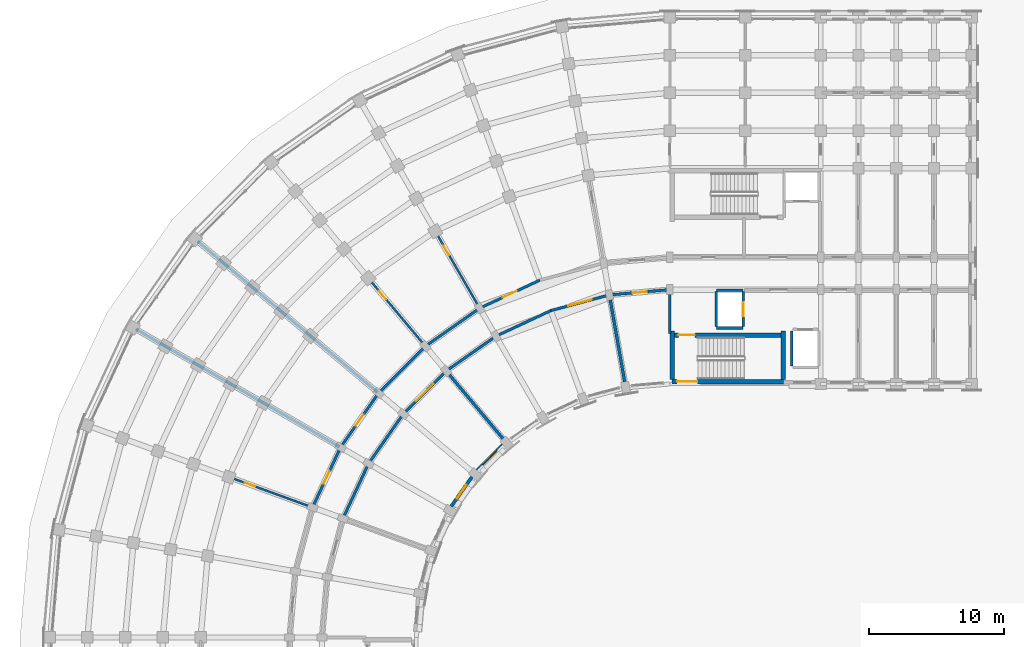
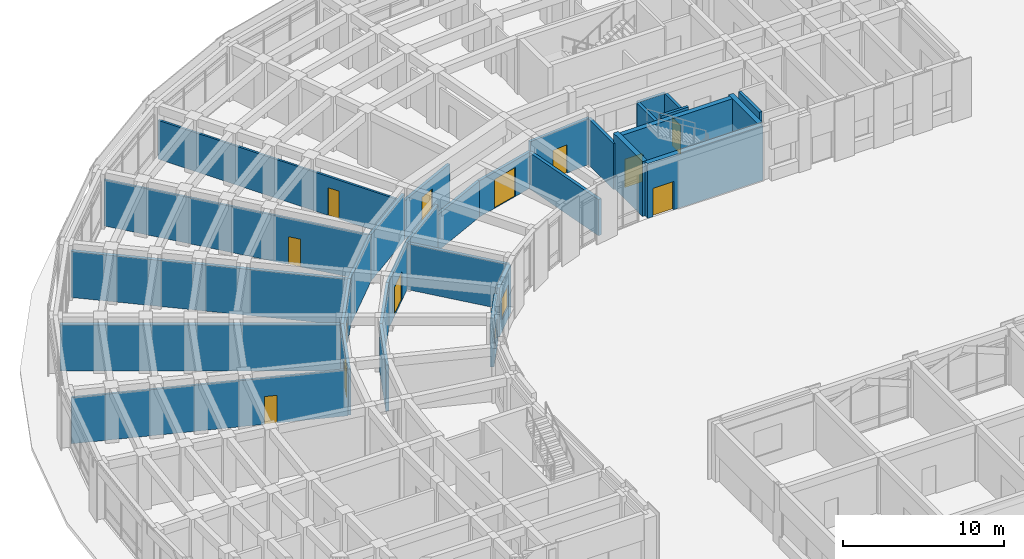
# One storey, part 100 of 135: 31 walls, 12 doors, 2 windows, 14 openings.
"""IFC4 building model written with IfcOpenShell, lengths in metres."""

from ifc_helpers import new_model, si_unit, direction, frame, frame_2d, origin, place, context, subcontext, project, spatial, rectangle, extrude, material, layer, layer_set, type_object, element, fill, save


model = new_model("IFC4")

# Units and contexts
model_context = context("Model", 3, precision=1e-05, world=origin(), true_north=direction((0.0, 1.0)))
body_context = subcontext(model_context, "Body", "Model", "MODEL_VIEW")
ifc_project = project(units=[si_unit("LENGTHUNIT", "METRE"), si_unit("AREAUNIT", "SQUARE_METRE"), si_unit("VOLUMEUNIT", "CUBIC_METRE"), si_unit("PLANEANGLEUNIT", "RADIAN"), si_unit("MASSUNIT", "GRAM", prefix="KILO")], contexts=[model_context])

# Site, building, storey
site_placement = place(None, origin())
site = spatial("IfcSite", under=ifc_project, at=site_placement, CompositionType="ELEMENT")
building_placement = place(site_placement, origin())
building = spatial("IfcBuilding", under=site, at=building_placement, Name="Kiranvali Square Residences", CompositionType="ELEMENT")
storey_placement = place(building_placement, origin())
storey = spatial("IfcBuildingStorey", under=building, at=storey_placement, Name="L00", CompositionType="ELEMENT", Elevation=0.0)

# Wall, opening, door
ifc_material_1 = material(Name="Autoclaved aerated concrete blockwork masonry", Category="masonry")
ifc_layer_1 = layer(ifc_material_1, 0.199951171875)
ifc_layer_set_1 = layer_set([ifc_layer_1], Name="Autoclaved aerated concrete blockwork masonry")
wall_type_1 = type_object("IfcWallType", Name="WL-COR-200", PredefinedType="STANDARD", material=ifc_layer_set_1)
wall_1_placement = place(storey_placement, frame((48.199951171875, 113.60009765625, 0.0), z_axis=(0.0, 0.0, 1.0), x_axis=(-0.996191949488, -0.087187153726, 0.0)))
wall_1 = element("IfcWall", 1, at=wall_1_placement, inside=storey, type_object=wall_type_1, Name="L00 architectural wall WL-L00-A-CCI-0", PredefinedType="STANDARD", context=body_context, shape_type="SweptSolid", body=[
    extrude(rectangle(XDim=4.4970703125, YDim=0.199951171875, at=frame_2d((2.24853515625, 0.0))), origin(), (0.0, 0.0, 1.0), 3.491943359375),
])
opening_1_placement = place(wall_1_placement, frame((1.728515625, 0.0, 0.0)))
opening_1 = element("IfcOpeningElement", 2, at=opening_1_placement, cuts=wall_1, Name="Opening FD-APT-60B", PredefinedType="OPENING", context=body_context, shape_type="SweptSolid", body=[
    extrude(rectangle(XDim=1.0400390625, YDim=2.14990234375, at=frame_2d((0.52001953125, 1.074951171875))), frame((0.0, 0.10986328125, 0.0), z_axis=(0.0, -1.0, 0.0), x_axis=(1.0, 0.0, 0.0)), (0.0, 0.0, 1.0), 0.219970703125),
])
ifc_material_2 = material(Name="Fire-rated acoustic hardwood and mineral-core door assembly", Category="wood")
door_type_1 = type_object("IfcDoorType", Name="DR-APT-1040", OperationType="NOTDEFINED", PredefinedType="DOOR", material=ifc_material_2)
door_1_placement = place(opening_1_placement, frame((1.0400390625, 0.0, 0.0), z_axis=(0.0, 0.0, 1.0), x_axis=(-1.0, 0.0, 0.0)))
door_1 = element("IfcDoor", 3, at=door_1_placement, inside=storey, type_object=door_type_1, Name="L00 door DR-L00-0082 (DR-APT-1040)", OperationType="SINGLE_SWING_RIGHT", OverallHeight=2.14990234375, OverallWidth=1.0400390625, PredefinedType="DOOR", context=body_context, shape_type="SweptSolid", body=[
    extrude(rectangle(XDim=1.0400390625, YDim=2.14990234375, at=frame_2d((0.52001953125, 1.074951171875))), frame((0.0, 0.02490234375, 0.0), z_axis=(0.0, -1.0, 0.0), x_axis=(1.0, 0.0, 0.0)), (0.0, 0.0, 1.0), 0.050048828125),
])
fill(opening_1, door_1)

wall_2_placement = place(storey_placement, frame((43.719970703125, 113.2080078125, 0.0), z_axis=(0.0, 0.0, 1.0), x_axis=(-0.965934240054, -0.258787642463, 0.0)))
wall_2 = element("IfcWall", 4, at=wall_2_placement, inside=storey, type_object=wall_type_1, Name="L00 architectural wall WL-L00-A-CCI-1", PredefinedType="STANDARD", context=body_context, shape_type="SweptSolid", body=[
    extrude(rectangle(XDim=4.497314453125, YDim=0.199951171875, at=frame_2d((2.24853515625, 0.0))), origin(), (0.0, 0.0, 1.0), 2.741943359375),
])
opening_2_placement = place(wall_2_placement, frame((1.3486328125, 0.0, 0.0)))
opening_2 = element("IfcOpeningElement", 5, at=opening_2_placement, cuts=wall_2, Name="Opening ED-GLZ-180", PredefinedType="OPENING", context=body_context, shape_type="SweptSolid", body=[
    extrude(rectangle(XDim=1.800048828125, YDim=2.199951171875, at=frame_2d((0.89990234375, 1.10009765625))), frame((0.0, 0.10986328125, 0.0), z_axis=(0.0, -1.0, 0.0), x_axis=(1.0, 0.0, 0.0)), (0.0, 0.0, 1.0), 0.219970703125),
])
ifc_material_3 = material(Name="Anodised bronze aluminium framing", Category="aluminium")
door_type_2 = type_object("IfcDoorType", Name="DR-GLZ-1800", OperationType="DOUBLE_DOOR_SINGLE_SWING", PredefinedType="DOOR", material=ifc_material_3)
door_2_placement = place(opening_2_placement, origin())
door_2 = element("IfcDoor", 6, at=door_2_placement, inside=storey, type_object=door_type_2, Name="L00 door DR-L00-0083 (DR-GLZ-1800)", OperationType="DOUBLE_DOOR_SINGLE_SWING", OverallHeight=2.199951171875, OverallWidth=1.800048828125, PredefinedType="DOOR", context=body_context, shape_type="SweptSolid", body=[
    extrude(rectangle(XDim=1.800048828125, YDim=2.199951171875, at=frame_2d((0.89990234375, 1.10009765625))), frame((0.0, 0.02490234375, 0.0), z_axis=(0.0, -1.0, 0.0), x_axis=(1.0, 0.0, 0.0)), (0.0, 0.0, 1.0), 0.050048828125),
])
fill(opening_2, door_2)

# Wall
wall_3_placement = place(storey_placement, frame((39.3759765625, 112.044189453125, 0.0), z_axis=(0.0, 0.0, 1.0), x_axis=(-0.906307919131, -0.422617978463, 0.0)))
element("IfcWall", 7, at=wall_3_placement, inside=storey, type_object=wall_type_1, Name="L00 architectural wall WL-L00-A-CCI-2", PredefinedType="STANDARD", context=body_context, shape_type="SweptSolid", body=[
    extrude(rectangle(XDim=4.497314453125, YDim=0.199951171875, at=frame_2d((2.24853515625, 0.0))), origin(), (0.0, 0.0, 1.0), 2.741943359375),
])

# Wall, opening, door
wall_4_placement = place(storey_placement, frame((38.554931640625, 114.29931640625, 0.0), z_axis=(0.0, 0.0, 1.0), x_axis=(-0.906302381024, -0.422629854778, 0.0)))
wall_4 = element("IfcWall", 8, at=wall_4_placement, inside=storey, type_object=wall_type_1, Name="L00 architectural wall WL-L00-A-CCO-2", PredefinedType="STANDARD", context=body_context, shape_type="SweptSolid", body=[
    extrude(rectangle(XDim=4.915283203125, YDim=0.199951171875, at=frame_2d((2.45751953125, 0.0))), origin(), (0.0, 0.0, 1.0), 2.94189453125),
])
opening_3_placement = place(wall_4_placement, frame((1.8876953125, 0.0, 0.0)))
opening_3 = element("IfcOpeningElement", 9, at=opening_3_placement, cuts=wall_4, Name="Opening FD-APT-60D", PredefinedType="OPENING", context=body_context, shape_type="SweptSolid", body=[
    extrude(rectangle(XDim=1.139892578125, YDim=2.14990234375, at=frame_2d((0.56982421875, 1.074951171875))), frame((0.0, 0.10986328125, 0.0), z_axis=(0.0, -1.0, 0.0), x_axis=(1.0, 0.0, 0.0)), (0.0, 0.0, 1.0), 0.219970703125),
])
door_type_3 = type_object("IfcDoorType", Name="DR-APT-1140", OperationType="NOTDEFINED", PredefinedType="DOOR", material=ifc_material_2)
door_3_placement = place(opening_3_placement, frame((1.139892578125, 0.0, 0.0), z_axis=(0.0, 0.0, 1.0), x_axis=(-1.0, 0.0, 0.0)))
door_3 = element("IfcDoor", 10, at=door_3_placement, inside=storey, type_object=door_type_3, Name="L00 door DR-L00-0078 (DR-APT-1140)", OperationType="SINGLE_SWING_RIGHT", OverallHeight=2.14990234375, OverallWidth=1.139892578125, PredefinedType="DOOR", context=body_context, shape_type="SweptSolid", body=[
    extrude(rectangle(XDim=1.139892578125, YDim=2.14990234375, at=frame_2d((0.56982421875, 1.074951171875))), frame((0.0, 0.02490234375, 0.0), z_axis=(0.0, -1.0, 0.0), x_axis=(1.0, 0.0, 0.0)), (0.0, 0.0, 1.0), 0.050048828125),
])
fill(opening_3, door_3)

# Walls
wall_5_placement = place(storey_placement, frame((35.300048828125, 110.1435546875, 0.0), z_axis=(0.0, 0.0, 1.0), x_axis=(-0.819155404658, -0.573571637217, 0.0)))
element("IfcWall", 11, at=wall_5_placement, inside=storey, type_object=wall_type_1, Name="L00 architectural wall WL-L00-A-CCI-3", PredefinedType="STANDARD", context=body_context, shape_type="SweptSolid", body=[
    extrude(rectangle(XDim=4.497314453125, YDim=0.199951171875, at=frame_2d((2.24853515625, 0.0))), origin(), (0.0, 0.0, 1.0), 3.491943359375),
])
wall_6_placement = place(storey_placement, frame((34.10009765625, 112.221923828125, 0.0), z_axis=(0.0, 0.0, 1.0), x_axis=(-0.819140911474, -0.573592335331, 0.0)))
element("IfcWall", 12, at=wall_6_placement, inside=storey, type_object=wall_type_1, Name="L00 architectural wall WL-L00-A-CCO-3", PredefinedType="STANDARD", context=body_context, shape_type="SweptSolid", body=[
    extrude(rectangle(XDim=4.915771484375, YDim=0.199951171875, at=frame_2d((2.4580078125, 0.0))), origin(), (0.0, 0.0, 1.0), 3.491943359375),
])

# Wall, opening, door
wall_7_placement = place(storey_placement, frame((31.615966796875, 107.56396484375, 0.0), z_axis=(0.0, 0.0, 1.0), x_axis=(-0.707106781187, -0.707106781187, 0.0)))
wall_7 = element("IfcWall", 13, at=wall_7_placement, inside=storey, type_object=wall_type_1, Name="L00 architectural wall WL-L00-A-CCI-4", PredefinedType="STANDARD", context=body_context, shape_type="SweptSolid", body=[
    extrude(rectangle(XDim=4.4970703125, YDim=0.199951171875, at=frame_2d((2.24853515625, 0.0))), origin(), (0.0, 0.0, 1.0), 3.491943359375),
])
opening_4_placement = place(wall_7_placement, frame((1.3486328125, 0.0, 0.0)))
opening_4 = element("IfcOpeningElement", 14, at=opening_4_placement, cuts=wall_7, Name="Opening ED-GLZ-180", PredefinedType="OPENING", context=body_context, shape_type="SweptSolid", body=[
    extrude(rectangle(XDim=1.800048828125, YDim=2.199951171875, at=frame_2d((0.89990234375, 1.10009765625))), frame((0.0, 0.10986328125, 0.0), z_axis=(0.0, -1.0, 0.0), x_axis=(1.0, 0.0, 0.0)), (0.0, 0.0, 1.0), 0.219970703125),
])
door_4_placement = place(opening_4_placement, origin())
door_4 = element("IfcDoor", 15, at=door_4_placement, inside=storey, type_object=door_type_2, Name="L00 door DR-L00-0084 (DR-GLZ-1800)", OperationType="DOUBLE_DOOR_SINGLE_SWING", OverallHeight=2.199951171875, OverallWidth=1.800048828125, PredefinedType="DOOR", context=body_context, shape_type="SweptSolid", body=[
    extrude(rectangle(XDim=1.800048828125, YDim=2.199951171875, at=frame_2d((0.89990234375, 1.10009765625))), frame((0.0, 0.02490234375, 0.0), z_axis=(0.0, -1.0, 0.0), x_axis=(1.0, 0.0, 0.0)), (0.0, 0.0, 1.0), 0.050048828125),
])
fill(opening_4, door_4)

# Walls
wall_8_placement = place(storey_placement, frame((30.073486328125, 109.40234375, 0.0), z_axis=(0.0, 0.0, 1.0), x_axis=(-0.707106781187, -0.707106781187, 0.0)))
element("IfcWall", 16, at=wall_8_placement, inside=storey, type_object=wall_type_1, Name="L00 architectural wall WL-L00-A-CCO-4", PredefinedType="STANDARD", context=body_context, shape_type="SweptSolid", body=[
    extrude(rectangle(XDim=4.91552734375, YDim=0.199951171875, at=frame_2d((2.457763671875, 0.0))), origin(), (0.0, 0.0, 1.0), 3.491943359375),
])
wall_9_placement = place(storey_placement, frame((28.43603515625, 104.384033203125, 0.0), z_axis=(0.0, 0.0, 1.0), x_axis=(-0.573571637217, -0.819155404658, 0.0)))
element("IfcWall", 17, at=wall_9_placement, inside=storey, type_object=wall_type_1, Name="L00 architectural wall WL-L00-A-CCI-5", PredefinedType="STANDARD", context=body_context, shape_type="SweptSolid", body=[
    extrude(rectangle(XDim=4.497314453125, YDim=0.199951171875, at=frame_2d((2.24853515625, 0.0))), origin(), (0.0, 0.0, 1.0), 3.491943359375),
])

# Wall, opening, door
wall_10_placement = place(storey_placement, frame((26.59765625, 105.926513671875, 0.0), z_axis=(0.0, 0.0, 1.0), x_axis=(-0.573592335331, -0.819140911474, 0.0)))
wall_10 = element("IfcWall", 18, at=wall_10_placement, inside=storey, type_object=wall_type_1, Name="L00 architectural wall WL-L00-A-CCO-5", PredefinedType="STANDARD", context=body_context, shape_type="SweptSolid", body=[
    extrude(rectangle(XDim=4.915771484375, YDim=0.199951171875, at=frame_2d((2.4580078125, 0.0))), origin(), (0.0, 0.0, 1.0), 3.491943359375),
])
opening_5_placement = place(wall_10_placement, frame((1.957763671875, 0.0, 0.0)))
opening_5 = element("IfcOpeningElement", 19, at=opening_5_placement, cuts=wall_10, Name="Opening FD-APT-60", PredefinedType="OPENING", context=body_context, shape_type="SweptSolid", body=[
    extrude(rectangle(XDim=1.0, YDim=2.14990234375, at=frame_2d((0.5, 1.074951171875))), frame((0.0, 0.10986328125, 0.0), z_axis=(0.0, -1.0, 0.0), x_axis=(1.0, 0.0, 0.0)), (0.0, 0.0, 1.0), 0.219970703125),
])
door_type_4 = type_object("IfcDoorType", Name="DR-APT-1000", OperationType="NOTDEFINED", PredefinedType="DOOR", material=ifc_material_2)
door_5_placement = place(opening_5_placement, origin())
door_5 = element("IfcDoor", 20, at=door_5_placement, inside=storey, type_object=door_type_4, Name="L00 door DR-L00-0079 (DR-APT-1000)", OperationType="SINGLE_SWING_LEFT", OverallHeight=2.14990234375, OverallWidth=1.0, PredefinedType="DOOR", context=body_context, shape_type="SweptSolid", body=[
    extrude(rectangle(XDim=1.0, YDim=2.14990234375, at=frame_2d((0.5, 1.074951171875))), frame((0.0, 0.02490234375, 0.0), z_axis=(0.0, -1.0, 0.0), x_axis=(1.0, 0.0, 0.0)), (0.0, 0.0, 1.0), 0.050048828125),
])
fill(opening_5, door_5)

# Wall
wall_11_placement = place(storey_placement, frame((25.8564453125, 100.699951171875, 0.0), z_axis=(0.0, 0.0, 1.0), x_axis=(-0.422617978463, -0.906307919131, 0.0)))
element("IfcWall", 21, at=wall_11_placement, inside=storey, type_object=wall_type_1, Name="L00 architectural wall WL-L00-A-CCI-6", PredefinedType="STANDARD", context=body_context, shape_type="SweptSolid", body=[
    extrude(rectangle(XDim=4.497314453125, YDim=0.199951171875, at=frame_2d((2.24853515625, 0.0))), origin(), (0.0, 0.0, 1.0), 3.491943359375),
])

# Wall, opening, door
wall_12_placement = place(storey_placement, frame((23.778076171875, 101.89990234375, 0.0), z_axis=(0.0, 0.0, 1.0), x_axis=(-0.422629854778, -0.906302381024, 0.0)))
wall_12 = element("IfcWall", 22, at=wall_12_placement, inside=storey, type_object=wall_type_1, Name="L00 architectural wall WL-L00-A-CCO-6", PredefinedType="STANDARD", context=body_context, shape_type="SweptSolid", body=[
    extrude(rectangle(XDim=4.915283203125, YDim=0.199951171875, at=frame_2d((2.45751953125, 0.0))), origin(), (0.0, 0.0, 1.0), 3.491943359375),
])
opening_6_placement = place(wall_12_placement, frame((1.937744140625, 0.0, 0.0)))
opening_6 = element("IfcOpeningElement", 23, at=opening_6_placement, cuts=wall_12, Name="Opening FD-APT-60B", PredefinedType="OPENING", context=body_context, shape_type="SweptSolid", body=[
    extrude(rectangle(XDim=1.0400390625, YDim=2.14990234375, at=frame_2d((0.52001953125, 1.074951171875))), frame((0.0, 0.10986328125, 0.0), z_axis=(0.0, -1.0, 0.0), x_axis=(1.0, 0.0, 0.0)), (0.0, 0.0, 1.0), 0.219970703125),
])
door_6_placement = place(opening_6_placement, frame((1.0400390625, 0.0, 0.0), z_axis=(0.0, 0.0, 1.0), x_axis=(-1.0, 0.0, 0.0)))
door_6 = element("IfcDoor", 24, at=door_6_placement, inside=storey, type_object=door_type_1, Name="L00 door DR-L00-0080 (DR-APT-1040)", OperationType="SINGLE_SWING_RIGHT", OverallHeight=2.14990234375, OverallWidth=1.0400390625, PredefinedType="DOOR", context=body_context, shape_type="SweptSolid", body=[
    extrude(rectangle(XDim=1.0400390625, YDim=2.14990234375, at=frame_2d((0.52001953125, 1.074951171875))), frame((0.0, 0.02490234375, 0.0), z_axis=(0.0, -1.0, 0.0), x_axis=(1.0, 0.0, 0.0)), (0.0, 0.0, 1.0), 0.050048828125),
])
fill(opening_6, door_6)

# Walls
ifc_layer_2 = layer(ifc_material_1, 0.219970703125)
ifc_layer_set_2 = layer_set([ifc_layer_2], Name="Autoclaved aerated concrete blockwork masonry")
wall_type_2 = type_object("IfcWallType", Name="WL-DEM-220", PredefinedType="STANDARD", material=ifc_layer_set_2)
wall_13_placement = place(storey_placement, frame((48.199951171875, 110.35009765625, 0.0), z_axis=(0.0, 0.0, 1.0), x_axis=(0.0, 1.0, 0.0)))
element("IfcWall", 25, at=wall_13_placement, inside=storey, type_object=wall_type_2, Name="L00 architectural wall WL-L00-A-RADI-0", PredefinedType="STANDARD", context=body_context, shape_type="SweptSolid", body=[
    extrude(rectangle(XDim=3.199951171875, YDim=0.219970703125, at=frame_2d((1.60009765625, 0.0))), origin(), (0.0, 0.0, 1.0), 3.491943359375),
])
wall_14_placement = place(storey_placement, frame((44.900634765625, 106.51123046875, 0.0), z_axis=(0.0, 0.0, 1.0), x_axis=(-0.173647089161, 0.984807944945, 0.0)))
element("IfcWall", 26, at=wall_14_placement, inside=storey, type_object=wall_type_2, Name="L00 architectural wall WL-L00-A-RADI-1", PredefinedType="STANDARD", context=body_context, shape_type="SweptSolid", body=[
    extrude(rectangle(XDim=6.75, YDim=0.219970703125, at=frame_2d((3.375, 0.0))), origin(), (0.0, 0.0, 1.0), 2.741943359375),
])
wall_15_placement = place(storey_placement, frame((35.987060546875, 102.354736328125, 0.0), z_axis=(0.0, 0.0, 1.0), x_axis=(-0.642784846501, 0.766046761698, 0.0)))
element("IfcWall", 27, at=wall_15_placement, inside=storey, type_object=wall_type_2, Name="L00 architectural wall WL-L00-A-RADI-4", PredefinedType="STANDARD", context=body_context, shape_type="SweptSolid", body=[
    extrude(rectangle(XDim=6.75, YDim=0.219970703125, at=frame_2d((3.375, 0.0))), origin(), (0.0, 0.0, 1.0), 3.491943359375),
])
ifc_layer_3 = layer(ifc_material_1, 0.22998046875)
ifc_layer_set_3 = layer_set([ifc_layer_3], Name="Autoclaved aerated concrete blockwork masonry")
wall_type_3 = type_object("IfcWallType", Name="WL-DEM-230", PredefinedType="STANDARD", material=ifc_layer_set_3)
for number, where, z_axis, x_axis, name in (
    (28, (26.52099609375, 105.990966796875, 0.0), (0.0, 0.0, 1.0), (-0.766046835987, 0.642784757967, 0.0), "L00 architectural wall WL-L00-A-RADO-5"),
    (29, (23.69140625, 101.949951171875, 0.0), (0.0, 0.0, 1.0), (-0.866026648973, 0.499997843263, 0.0), "L00 architectural wall WL-L00-A-RADO-6"),
):
    element("IfcWall", number, at=place(storey_placement, frame(where, z_axis=z_axis, x_axis=x_axis)), inside=storey, type_object=wall_type_3, Name=name, PredefinedType="STANDARD", context=body_context, shape_type="SweptSolid", body=[
        extrude(rectangle(XDim=17.419921875, YDim=0.22998046875, at=frame_2d((8.7099609375, 0.0))), origin(), (0.0, 0.0, 1.0), 3.491943359375),
    ])

# Wall, opening, window
ifc_material_4 = material(Name="Breathable lime-rendered clay brick masonry", Category="masonry")
ifc_layer_4 = layer(ifc_material_4, 0.25)
ifc_layer_set_4 = layer_set([ifc_layer_4], Name="Breathable lime-rendered clay brick masonry")
wall_type_4 = type_object("IfcWallType", Name="WL-EXT-250", PredefinedType="STANDARD", material=ifc_layer_set_4)
wall_16_placement = place(storey_placement, frame((35.8125, 102.0751953125, 0.0), z_axis=(0.0, 0.0, 1.0), x_axis=(-0.707106781187, -0.707106781187, 0.0)))
wall_16 = element("IfcWall", 30, at=wall_16_placement, inside=storey, type_object=wall_type_4, Name="L00 exterior wall A-L00-GDN-04", PredefinedType="STANDARD", context=body_context, shape_type="SweptSolid", body=[
    extrude(rectangle(XDim=2.669677734375, YDim=0.25, at=frame_2d((1.3349609375, 0.0))), origin(), (0.0, 0.0, 1.0), 3.69189453125),
])
opening_7_placement = place(wall_16_placement, frame((0.584716796875, 0.0, 0.8798828125)))
opening_7 = element("IfcOpeningElement", 31, at=opening_7_placement, cuts=wall_16, Name="Opening W-05", PredefinedType="OPENING", context=body_context, shape_type="SweptSolid", body=[
    extrude(rectangle(XDim=1.5, YDim=1.64990234375, at=frame_2d((0.75, 0.824951171875))), frame((0.0, 0.135009765625, 0.0), z_axis=(0.0, -1.0, 0.0), x_axis=(1.0, 0.0, 0.0)), (0.0, 0.0, 1.0), 0.27001953125),
])
ifc_material_5 = material(Name="Solar-control low-e double glazing", Category="glass")
window_type_1 = type_object("IfcWindowType", Name="WIN-RES-1500x1650", PartitioningType="DOUBLE_PANEL_VERTICAL", PredefinedType="WINDOW", material=ifc_material_5)
window_1_placement = place(opening_7_placement, origin())
window_1 = element("IfcWindow", 32, at=window_1_placement, inside=storey, type_object=window_type_1, Name="L00 recessed window A-L00-GDN-04", OverallHeight=1.64990234375, OverallWidth=1.5, PartitioningType="DOUBLE_PANEL_VERTICAL", PredefinedType="WINDOW", context=body_context, shape_type="SweptSolid", body=[
    extrude(rectangle(XDim=1.5, YDim=1.64990234375, at=frame_2d((0.75, 0.824951171875))), frame((0.0, 0.030029296875, 0.0), z_axis=(0.0, -1.0, 0.0), x_axis=(1.0, 0.0, 0.0)), (0.0, 0.0, 1.0), 0.06005859375),
])
fill(opening_7, window_1)

wall_17_placement = place(storey_placement, frame((33.521728515625, 99.707275390625, 0.0), z_axis=(0.0, 0.0, 1.0), x_axis=(-0.573591230309, -0.819141685249, 0.0)))
wall_17 = element("IfcWall", 33, at=wall_17_placement, inside=storey, type_object=wall_type_4, Name="L00 exterior wall A-L00-GDN-05", PredefinedType="STANDARD", context=body_context, shape_type="SweptSolid", body=[
    extrude(rectangle(XDim=2.669677734375, YDim=0.25, at=frame_2d((1.3349609375, 0.0))), origin(), (0.0, 0.0, 1.0), 3.69189453125),
])
opening_8_placement = place(wall_17_placement, frame((0.73486328125, 0.0, 0.8798828125)))
opening_8 = element("IfcOpeningElement", 34, at=opening_8_placement, cuts=wall_17, Name="Opening W-06", PredefinedType="OPENING", context=body_context, shape_type="SweptSolid", body=[
    extrude(rectangle(XDim=1.199951171875, YDim=1.5, at=frame_2d((0.60009765625, 0.75))), frame((0.0, 0.135009765625, 0.0), z_axis=(0.0, -1.0, 0.0), x_axis=(1.0, 0.0, 0.0)), (0.0, 0.0, 1.0), 0.27001953125),
])
window_type_2 = type_object("IfcWindowType", Name="WIN-RES-1200x1500", PartitioningType="SINGLE_PANEL", PredefinedType="WINDOW", material=ifc_material_5)
window_2_placement = place(opening_8_placement, origin())
window_2 = element("IfcWindow", 35, at=window_2_placement, inside=storey, type_object=window_type_2, Name="L00 recessed window A-L00-GDN-05", OverallHeight=1.5, OverallWidth=1.199951171875, PartitioningType="SINGLE_PANEL", PredefinedType="WINDOW", context=body_context, shape_type="SweptSolid", body=[
    extrude(rectangle(XDim=1.199951171875, YDim=1.5, at=frame_2d((0.60009765625, 0.75))), frame((0.0, 0.030029296875, 0.0), z_axis=(0.0, -1.0, 0.0), x_axis=(1.0, 0.0, 0.0)), (0.0, 0.0, 1.0), 0.06005859375),
])
fill(opening_8, window_2)

# Wall, opening, door
ifc_material_6 = material(Name="Acoustic gypsum board drylined partition", Category="gypsum")
ifc_layer_5 = layer(ifc_material_6, 0.14990234375)
ifc_layer_set_5 = layer_set([ifc_layer_5], Name="Acoustic gypsum board drylined partition")
wall_type_5 = type_object("IfcWallType", Name="WL-PRT-150", PredefinedType="PARTITIONING", material=ifc_layer_set_5)
wall_18_placement = place(storey_placement, frame((34.050048828125, 112.30859375, 0.0), z_axis=(0.0, 0.0, 1.0), x_axis=(-0.499997843263, 0.866026648973, 0.0)))
wall_18 = element("IfcWall", 36, at=wall_18_placement, inside=storey, type_object=wall_type_5, Name="L00 architectural wall WL-L00-A-RADO-3", PredefinedType="PARTITIONING", context=body_context, shape_type="SweptSolid", body=[
    extrude(rectangle(XDim=17.419921875, YDim=0.14990234375, at=frame_2d((8.7099609375, 0.0))), origin(), (0.0, 0.0, 1.0), 2.94189453125),
])
opening_9_placement = place(wall_18_placement, frame((4.44970703125, 0.0, 0.0)))
opening_9 = element("IfcOpeningElement", 37, at=opening_9_placement, cuts=wall_18, Name="Opening ID-WET", PredefinedType="OPENING", context=body_context, shape_type="SweptSolid", body=[
    extrude(rectangle(XDim=0.800048828125, YDim=2.10009765625, at=frame_2d((0.39990234375, 1.050048828125))), frame((0.0, 0.0849609375, 0.0), z_axis=(0.0, -1.0, 0.0), x_axis=(1.0, 0.0, 0.0)), (0.0, 0.0, 1.0), 0.169921875),
])
ifc_material_7 = material(Name="Solid seasoned teak hardwood joinery", Category="wood")
door_type_5 = type_object("IfcDoorType", Name="DR-WET-800", OperationType="NOTDEFINED", PredefinedType="DOOR", material=ifc_material_7)
door_7_placement = place(opening_9_placement, frame((0.800048828125, 0.0, 0.0), z_axis=(0.0, 0.0, 1.0), x_axis=(-1.0, 0.0, 0.0)))
door_7 = element("IfcDoor", 38, at=door_7_placement, inside=storey, type_object=door_type_5, Name="L00 door DR-L00-0074 (DR-WET-800)", OperationType="SINGLE_SWING_RIGHT", OverallHeight=2.10009765625, OverallWidth=0.800048828125, PredefinedType="DOOR", context=body_context, shape_type="SweptSolid", body=[
    extrude(rectangle(XDim=0.800048828125, YDim=2.10009765625, at=frame_2d((0.39990234375, 1.050048828125))), frame((0.0, 0.02490234375, 0.0), z_axis=(0.0, -1.0, 0.0), x_axis=(1.0, 0.0, 0.0)), (0.0, 0.0, 1.0), 0.050048828125),
])
fill(opening_9, door_7)

wall_19_placement = place(storey_placement, frame((30.009033203125, 109.47900390625, 0.0), z_axis=(0.0, 0.0, 1.0), x_axis=(-0.642784757967, 0.766046835987, 0.0)))
wall_19 = element("IfcWall", 39, at=wall_19_placement, inside=storey, type_object=wall_type_5, Name="L00 architectural wall WL-L00-A-RADO-4", PredefinedType="PARTITIONING", context=body_context, shape_type="SweptSolid", body=[
    extrude(rectangle(XDim=17.419921875, YDim=0.14990234375, at=frame_2d((8.7099609375, 0.0))), origin(), (0.0, 0.0, 1.0), 3.491943359375),
])
opening_10_placement = place(wall_19_placement, frame((4.44970703125, 0.0, 0.0)))
opening_10 = element("IfcOpeningElement", 40, at=opening_10_placement, cuts=wall_19, Name="Opening ID-WET", PredefinedType="OPENING", context=body_context, shape_type="SweptSolid", body=[
    extrude(rectangle(XDim=0.800048828125, YDim=2.10009765625, at=frame_2d((0.39990234375, 1.050048828125))), frame((0.0, 0.0849609375, 0.0), z_axis=(0.0, -1.0, 0.0), x_axis=(1.0, 0.0, 0.0)), (0.0, 0.0, 1.0), 0.169921875),
])
door_8_placement = place(opening_10_placement, origin())
door_8 = element("IfcDoor", 41, at=door_8_placement, inside=storey, type_object=door_type_5, Name="L00 door DR-L00-0075 (DR-WET-800)", OperationType="SINGLE_SWING_LEFT", OverallHeight=2.10009765625, OverallWidth=0.800048828125, PredefinedType="DOOR", context=body_context, shape_type="SweptSolid", body=[
    extrude(rectangle(XDim=0.800048828125, YDim=2.10009765625, at=frame_2d((0.39990234375, 1.050048828125))), frame((0.0, 0.02490234375, 0.0), z_axis=(0.0, -1.0, 0.0), x_axis=(1.0, 0.0, 0.0)), (0.0, 0.0, 1.0), 0.050048828125),
])
fill(opening_10, door_8)

wall_20_placement = place(storey_placement, frame((21.606689453125, 97.479248046875, 0.0), z_axis=(0.0, 0.0, 1.0), x_axis=(-0.939691901159, 0.342022120477, 0.0)))
wall_20 = element("IfcWall", 42, at=wall_20_placement, inside=storey, type_object=wall_type_5, Name="L00 architectural wall WL-L00-A-RADO-7", PredefinedType="PARTITIONING", context=body_context, shape_type="SweptSolid", body=[
    extrude(rectangle(XDim=17.419921875, YDim=0.14990234375, at=frame_2d((8.7099609375, 0.0))), origin(), (0.0, 0.0, 1.0), 3.491943359375),
])
opening_11_placement = place(wall_20_placement, frame((4.44970703125, 0.0, 0.0)))
opening_11 = element("IfcOpeningElement", 43, at=opening_11_placement, cuts=wall_20, Name="Opening ID-WET", PredefinedType="OPENING", context=body_context, shape_type="SweptSolid", body=[
    extrude(rectangle(XDim=0.800048828125, YDim=2.10009765625, at=frame_2d((0.39990234375, 1.050048828125))), frame((0.0, 0.0849609375, 0.0), z_axis=(0.0, -1.0, 0.0), x_axis=(1.0, 0.0, 0.0)), (0.0, 0.0, 1.0), 0.169921875),
])
door_9_placement = place(opening_11_placement, frame((0.800048828125, 0.0, 0.0), z_axis=(0.0, 0.0, 1.0), x_axis=(-1.0, 0.0, 0.0)))
door_9 = element("IfcDoor", 44, at=door_9_placement, inside=storey, type_object=door_type_5, Name="L00 door DR-L00-0076 (DR-WET-800)", OperationType="SINGLE_SWING_RIGHT", OverallHeight=2.10009765625, OverallWidth=0.800048828125, PredefinedType="DOOR", context=body_context, shape_type="SweptSolid", body=[
    extrude(rectangle(XDim=0.800048828125, YDim=2.10009765625, at=frame_2d((0.39990234375, 1.050048828125))), frame((0.0, 0.02490234375, 0.0), z_axis=(0.0, -1.0, 0.0), x_axis=(1.0, 0.0, 0.0)), (0.0, 0.0, 1.0), 0.050048828125),
])
fill(opening_11, door_9)

# Walls
ifc_layer_6 = layer(ifc_material_1, 0.199951171875)
ifc_layer_set_6 = layer_set([ifc_layer_6], Name="Autoclaved aerated concrete blockwork masonry")
wall_type_6 = type_object("IfcWallType", Name="WL-SHF-200", PredefinedType="STANDARD", material=ifc_layer_set_6)
wall_21_placement = place(storey_placement, frame((57.25, 107.949951171875, 0.0), z_axis=(0.0, 0.0, 1.0), x_axis=(0.0, 1.0, 0.0)))
element("IfcWall", 45, at=wall_21_placement, inside=storey, type_object=wall_type_6, Name="L00 architectural wall WL-L00-A-LP1-S1", PredefinedType="STANDARD", context=body_context, shape_type="SweptSolid", body=[
    extrude(rectangle(XDim=2.60009765625, YDim=0.199951171875, at=frame_2d((1.300048828125, 0.0))), origin(), (0.0, 0.0, 1.0), 4.14990234375),
])
wall_22_placement = place(storey_placement, frame((51.64990234375, 110.75, 0.0), z_axis=(0.0, 0.0, 1.0), x_axis=(1.0, 0.0, 0.0)))
element("IfcWall", 46, at=wall_22_placement, inside=storey, type_object=wall_type_6, Name="L00 architectural wall WL-L00-A-LP2-S0", PredefinedType="STANDARD", context=body_context, shape_type="SweptSolid", body=[
    extrude(rectangle(XDim=2.0, YDim=0.199951171875, at=frame_2d((1.0, 0.0))), origin(), (0.0, 0.0, 1.0), 4.14990234375),
])
wall_23_placement = place(storey_placement, frame((51.64990234375, 113.550048828125, 0.0), z_axis=(0.0, 0.0, 1.0), x_axis=(1.0, 0.0, 0.0)))
element("IfcWall", 47, at=wall_23_placement, inside=storey, type_object=wall_type_6, Name="L00 architectural wall WL-L00-A-LP2-B", PredefinedType="STANDARD", context=body_context, shape_type="SweptSolid", body=[
    extrude(rectangle(XDim=2.0, YDim=0.199951171875, at=frame_2d((1.0, 0.0))), origin(), (0.0, 0.0, 1.0), 3.491943359375),
])
wall_24_placement = place(storey_placement, frame((51.64990234375, 110.85009765625, 0.0), z_axis=(0.0, 0.0, 1.0), x_axis=(0.0, 1.0, 0.0)))
element("IfcWall", 48, at=wall_24_placement, inside=storey, type_object=wall_type_6, Name="L00 architectural wall WL-L00-A-LP2-S1", PredefinedType="STANDARD", context=body_context, shape_type="SweptSolid", body=[
    extrude(rectangle(XDim=2.599853515625, YDim=0.199951171875, at=frame_2d((1.2998046875, 0.0))), origin(), (0.0, 0.0, 1.0), 3.491943359375),
])

# Wall, opening, door
wall_25_placement = place(storey_placement, frame((53.64990234375, 110.85009765625, 0.0), z_axis=(0.0, 0.0, 1.0), x_axis=(0.0, 1.0, 0.0)))
wall_25 = element("IfcWall", 49, at=wall_25_placement, inside=storey, type_object=wall_type_6, Name="L00 architectural wall WL-L00-A-LP2-F", PredefinedType="STANDARD", context=body_context, shape_type="SweptSolid", body=[
    extrude(rectangle(XDim=2.599853515625, YDim=0.199951171875, at=frame_2d((1.2998046875, 0.0))), origin(), (0.0, 0.0, 1.0), 3.491943359375),
])
opening_12_placement = place(wall_25_placement, frame((0.7900390625, 0.0, 0.0)))
opening_12 = element("IfcOpeningElement", 50, at=opening_12_placement, cuts=wall_25, Name="Opening LD-PAX-100", PredefinedType="OPENING", context=body_context, shape_type="SweptSolid", body=[
    extrude(rectangle(XDim=1.02001953125, YDim=2.14990234375, at=frame_2d((0.510009765625, 1.074951171875))), frame((0.0, 0.10986328125, 0.0), z_axis=(0.0, -1.0, 0.0), x_axis=(1.0, 0.0, 0.0)), (0.0, 0.0, 1.0), 0.219970703125),
])
door_type_6 = type_object("IfcDoorType", Name="DR-LIFT-1000", OperationType="SLIDING_TO_RIGHT", PredefinedType="DOOR", material=ifc_material_2)
door_10_placement = place(opening_12_placement, origin())
door_10 = element("IfcDoor", 51, at=door_10_placement, inside=storey, type_object=door_type_6, Name="L00 door DR-L00-0052 (DR-LIFT-1000)", OperationType="SLIDING_TO_RIGHT", OverallHeight=2.14990234375, OverallWidth=1.02001953125, PredefinedType="DOOR", context=body_context, shape_type="SweptSolid", body=[
    extrude(rectangle(XDim=1.02001953125, YDim=2.14990234375, at=frame_2d((0.510009765625, 1.074951171875))), frame((0.0, 0.02490234375, 0.0), z_axis=(0.0, -1.0, 0.0), x_axis=(1.0, 0.0, 0.0)), (0.0, 0.0, 1.0), 0.050048828125),
])
fill(opening_12, door_10)

ifc_material_8 = material(Name="Concrete M50 (50 MPa)", Category="concrete")
ifc_layer_7 = layer(ifc_material_8, 0.35009765625)
ifc_layer_set_7 = layer_set([ifc_layer_7], Name="Concrete M50 (50 MPa)")
wall_type_7 = type_object("IfcWallType", Name="WL-SHR-350", PredefinedType="SHEAR", material=ifc_layer_set_7)
wall_26_placement = place(storey_placement, frame((48.375, 106.77490234375, 0.0), z_axis=(0.0, 0.0, 1.0), x_axis=(1.0, 0.0, 0.0)))
wall_26 = element("IfcWall", 52, at=wall_26_placement, inside=storey, type_object=wall_type_7, Name="Block A core shear wall SW-A2-OUT-L00", PredefinedType="SHEAR", context=body_context, shape_type="SweptSolid", body=[
    extrude(rectangle(XDim=8.25, YDim=0.35009765625, at=frame_2d((4.125, 0.0))), origin(), (0.0, 0.0, 1.0), 4.14990234375),
])
opening_13_placement = place(wall_26_placement, frame((0.375, 0.0, 0.0)))
opening_13 = element("IfcOpeningElement", 53, at=opening_13_placement, cuts=wall_26, Name="Opening ED-EX-150", PredefinedType="OPENING", context=body_context, shape_type="SweptSolid", body=[
    extrude(rectangle(XDim=1.5, YDim=2.14990234375, at=frame_2d((0.75, 1.074951171875))), frame((0.0, 0.18505859375, 0.0), z_axis=(0.0, -1.0, 0.0), x_axis=(1.0, 0.0, 0.0)), (0.0, 0.0, 1.0), 0.3701171875),
])
door_type_7 = type_object("IfcDoorType", Name="DR-EXIT-1500", OperationType="NOTDEFINED", PredefinedType="DOOR", material=ifc_material_2)
door_11_placement = place(opening_13_placement, frame((1.5, 0.0, 0.0), z_axis=(0.0, 0.0, 1.0), x_axis=(-1.0, 0.0, 0.0)))
door_11 = element("IfcDoor", 54, at=door_11_placement, inside=storey, type_object=door_type_7, Name="L00 door DR-L00-0049 (DR-EXIT-1500)", OperationType="SINGLE_SWING_LEFT", OverallHeight=2.14990234375, OverallWidth=1.5, PredefinedType="DOOR", context=body_context, shape_type="SweptSolid", body=[
    extrude(rectangle(XDim=1.5, YDim=2.14990234375, at=frame_2d((0.75, 1.074951171875))), frame((0.0, 0.02490234375, 0.0), z_axis=(0.0, -1.0, 0.0), x_axis=(1.0, 0.0, 0.0)), (0.0, 0.0, 1.0), 0.050048828125),
])
fill(opening_13, door_11)

wall_27_placement = place(storey_placement, frame((48.550048828125, 110.22509765625, 0.0), z_axis=(0.0, 0.0, 1.0), x_axis=(1.0, 0.0, 0.0)))
wall_27 = element("IfcWall", 55, at=wall_27_placement, inside=storey, type_object=wall_type_7, Name="Block A core shear wall SW-A2-IN-L00", PredefinedType="SHEAR", context=body_context, shape_type="SweptSolid", body=[
    extrude(rectangle(XDim=7.89990234375, YDim=0.35009765625, at=frame_2d((3.949951171875, 0.0))), origin(), (0.0, 0.0, 1.0), 4.14990234375),
])
opening_14_placement = place(wall_27_placement, frame((0.280029296875, 0.0, 0.0)))
opening_14 = element("IfcOpeningElement", 56, at=opening_14_placement, cuts=wall_27, Name="Opening FD-ST-120", PredefinedType="OPENING", context=body_context, shape_type="SweptSolid", body=[
    extrude(rectangle(XDim=1.239990234375, YDim=2.14990234375, at=frame_2d((0.6201171875, 1.074951171875))), frame((0.0, 0.18505859375, 0.0), z_axis=(0.0, -1.0, 0.0), x_axis=(1.0, 0.0, 0.0)), (0.0, 0.0, 1.0), 0.3701171875),
])
door_type_8 = type_object("IfcDoorType", Name="DR-FD120-1200", OperationType="NOTDEFINED", PredefinedType="DOOR", material=ifc_material_2)
door_12_placement = place(opening_14_placement, origin())
door_12 = element("IfcDoor", 57, at=door_12_placement, inside=storey, type_object=door_type_8, Name="L00 door DR-L00-0047 (DR-FD120-1200)", OperationType="SINGLE_SWING_LEFT", OverallHeight=2.14990234375, OverallWidth=1.239990234375, PredefinedType="DOOR", context=body_context, shape_type="SweptSolid", body=[
    extrude(rectangle(XDim=1.239990234375, YDim=2.14990234375, at=frame_2d((0.6201171875, 1.074951171875))), frame((0.0, 0.02490234375, 0.0), z_axis=(0.0, -1.0, 0.0), x_axis=(1.0, 0.0, 0.0)), (0.0, 0.0, 1.0), 0.050048828125),
])
fill(opening_14, door_12)

# Walls
for number, where, z_axis, x_axis, name in (
    (58, (48.375, 106.949951171875, 0.0), (0.0, 0.0, 1.0), (0.0, 1.0, 0.0), "Block A core shear wall SW-A2-NEAR-L00"),
    (59, (56.625, 106.949951171875, 0.0), (0.0, 0.0, 1.0), (0.0, 1.0, 0.0), "Block A core shear wall SW-A2-FAR-L00"),
):
    element("IfcWall", number, at=place(storey_placement, frame(where, z_axis=z_axis, x_axis=x_axis)), inside=storey, type_object=wall_type_7, Name=name, PredefinedType="SHEAR", context=body_context, shape_type="SweptSolid", body=[
        extrude(rectangle(XDim=3.60009765625, YDim=0.35009765625, at=frame_2d((1.800048828125, 0.0))), origin(), (0.0, 0.0, 1.0), 4.14990234375),
    ])

save(model, "model.ifc")
